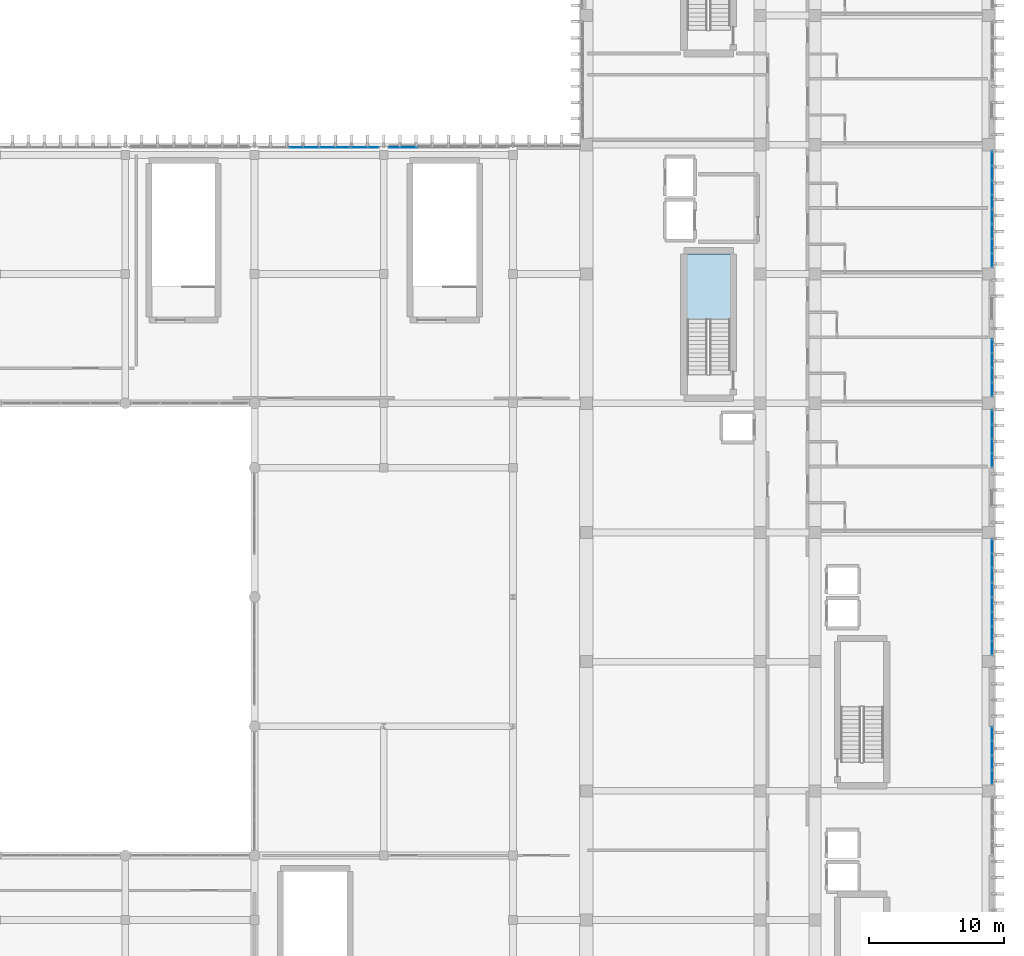
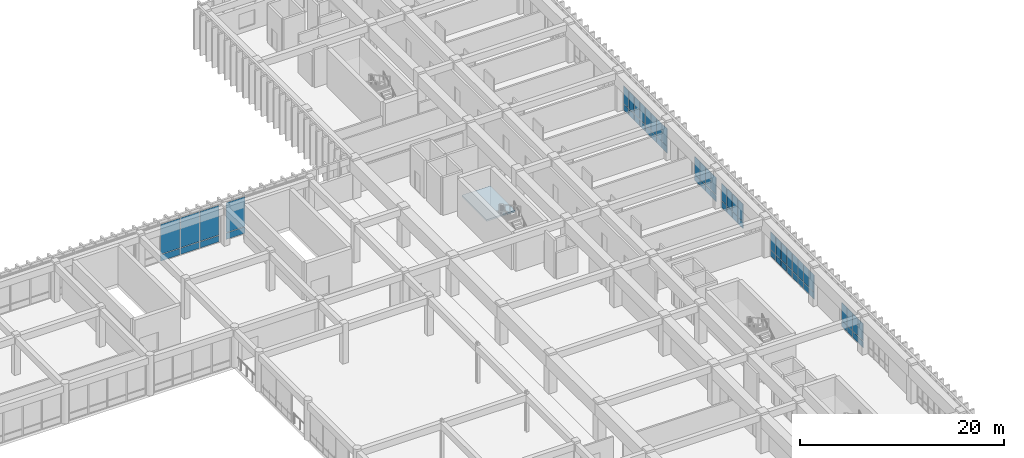
# One storey, part 69 of 101: 64 plates, 1 slab, 10 elements without a shape of their own.
"""IFC4 building model written with IfcOpenShell, lengths in metres."""

import ifcopenshell
import ifcopenshell.guid

model = None  # the IFC model being written
_history = None  # IfcOwnerHistory: only IFC2X3 demands one
_inside = {}  # id of a spatial element -> (the spatial element, [elements in it])
_under = {}  # id of a project, library or spatial element -> (it, [spatial elements below it])
_declared = {}  # id of a project -> (the project, [libraries it declares])
_typed = {}  # id of a type object -> (the type object, [elements of that type])
_made_of = {}  # id of a material, layer set ... -> (it, [elements and type objects made of it])


def new_model(schema):
    """Start an empty IFC model of exactly this schema.

    Asked for "IFC4X3", IfcOpenShell would pick the latest addendum, in which some entities
    have other attributes; the version numbers below select the first issue.
    IFC2X3 requires an IfcOwnerHistory on every rooted entity: one is made here for all.
    """
    global model, _history
    if schema == "IFC4X3":
        model = ifcopenshell.file(schema_version=(4, 3, 0, 0))
    else:
        model = ifcopenshell.file(schema=schema)
    _inside.clear()
    _under.clear()
    _declared.clear()
    _typed.clear()
    _made_of.clear()
    _history = None
    if model.schema == "IFC2X3":
        org = make("IfcOrganization", Name="unknown")
        user = make(
            "IfcPersonAndOrganization",
            ThePerson=make("IfcPerson", FamilyName="unknown"),
            TheOrganization=org,
        )
        app = make(
            "IfcApplication",
            ApplicationDeveloper=org,
            Version="unknown",
            ApplicationFullName="unknown",
            ApplicationIdentifier="unknown",
        )
        _history = make(
            "IfcOwnerHistory",
            OwningUser=user,
            OwningApplication=app,
            ChangeAction="ADDED",
            CreationDate=0,
        )
    return model


def make(cls, **values):
    """One entity of the class cls with the attributes given. An attribute that is None is left unset."""
    return model.create_entity(
        cls, **{name: value for name, value in values.items() if value is not None}
    )


def rooted(cls, **values):
    """An entity with a GlobalId (a new one), such as an element, a storey or a relation."""
    return make(cls, GlobalId=ifcopenshell.guid.new(), OwnerHistory=_history, **values)


def si_unit(unit_type, name, prefix=None):
    """IfcSIUnit, for example si_unit("LENGTHUNIT", "METRE", prefix="MILLI")."""
    return make("IfcSIUnit", UnitType=unit_type, Prefix=prefix, Name=name)


def assignment(units):
    """IfcUnitAssignment: the units of a project."""
    return None if units is None else make("IfcUnitAssignment", Units=units)


def point(xyz):
    """IfcCartesianPoint."""
    return None if xyz is None else make("IfcCartesianPoint", Coordinates=xyz)


def direction(xyz):
    """IfcDirection."""
    return None if xyz is None else make("IfcDirection", DirectionRatios=xyz)


def frame(location, z_axis=None, x_axis=None):
    """IfcAxis2Placement3D, a coordinate frame: its origin and axes. An axis left out is left unset."""
    return make(
        "IfcAxis2Placement3D",
        Location=point(location),
        Axis=direction(z_axis),
        RefDirection=direction(x_axis),
    )


def frame_2d(location, x_axis=None):
    """IfcAxis2Placement2D, a coordinate frame in the plane: its origin and x axis."""
    return make(
        "IfcAxis2Placement2D", Location=point(location), RefDirection=direction(x_axis)
    )


def origin():
    """The frame at (0, 0, 0) with its axes left unset."""
    return frame((0.0, 0.0, 0.0))


def origin_2d():
    """The frame at (0, 0) in the plane with its x axis left unset."""
    return frame_2d((0.0, 0.0))


def place(relative_to, where):
    """IfcLocalPlacement: puts the frame where relative to a parent placement (None: the world)."""
    return make(
        "IfcLocalPlacement", PlacementRelTo=relative_to, RelativePlacement=where
    )


def context(
    kind, dimensions, precision=None, world=None, true_north=None, identifier=None
):
    """IfcGeometricRepresentationContext, for example the 3D "Model" context."""
    return make(
        "IfcGeometricRepresentationContext",
        ContextIdentifier=identifier,
        ContextType=kind,
        CoordinateSpaceDimension=dimensions,
        Precision=precision,
        WorldCoordinateSystem=world,
        TrueNorth=true_north,
    )


def subcontext(parent, identifier, kind, view, scale=None):
    """IfcGeometricRepresentationSubContext, for example "Body" below "Model"."""
    return make(
        "IfcGeometricRepresentationSubContext",
        ContextIdentifier=identifier,
        ContextType=kind,
        ParentContext=parent,
        TargetScale=scale,
        TargetView=view,
    )


def project(units=None, contexts=None):
    """IfcProject with its units and contexts."""
    return rooted(
        "IfcProject",
        Name="project",
        RepresentationContexts=contexts,
        UnitsInContext=assignment(units),
    )


def spatial(cls, under=None, at=None, **own):
    """A site, building, storey or space (cls), placed at a placement, below another one or the project."""
    s = rooted(cls, ObjectPlacement=at, **own)
    if under is not None:
        _under.setdefault(under.id(), (under, []))[1].append(s)
    return s


def polyline(points):
    """IfcPolyline through the points."""
    return make("IfcPolyline", Points=[point(p) for p in points])


def profile(cls, at=None, kind="AREA", **sizes):
    """A parametric profile (cls). Its sizes go by their IFC names, for example OverallWidth=200.0."""
    return make(cls, ProfileType=kind, Position=at, **sizes)


def rectangle(**sizes):
    """IfcRectangleProfileDef."""
    return profile("IfcRectangleProfileDef", **sizes)


def outline(outer, holes=None, kind="AREA"):
    """IfcArbitraryClosedProfileDef: a profile drawn as a closed curve; with holes, ...WithVoids."""
    if holes is None:
        return make("IfcArbitraryClosedProfileDef", ProfileType=kind, OuterCurve=outer)
    return make(
        "IfcArbitraryProfileDefWithVoids",
        ProfileType=kind,
        OuterCurve=outer,
        InnerCurves=holes,
    )


def extrude(swept, where, along, depth):
    """IfcExtrudedAreaSolid: the profile swept, set in the frame where, extruded along a direction by depth."""
    return make(
        "IfcExtrudedAreaSolid",
        SweptArea=swept,
        Position=where,
        ExtrudedDirection=direction(along),
        Depth=depth,
    )


def shape(context_of_items, identifier, shape_type, items):
    """IfcShapeRepresentation: the items that make up one representation, for example the "Body"."""
    return make(
        "IfcShapeRepresentation",
        ContextOfItems=context_of_items,
        RepresentationIdentifier=identifier,
        RepresentationType=shape_type,
        Items=items,
    )


def material(Name=None, Category=None):
    """IfcMaterial."""
    return make("IfcMaterial", Name=Name, Category=Category)


def layer(
    of_material, thickness, ventilated=None, Name=None, Category=None, Priority=None
):
    """IfcMaterialLayer: one layer of a wall or slab, of a material (None: an air gap)."""
    return make(
        "IfcMaterialLayer",
        Material=of_material,
        LayerThickness=thickness,
        IsVentilated=ventilated,
        Name=Name,
        Category=Category,
        Priority=Priority,
    )


def layer_set(layers, Name=None):
    """IfcMaterialLayerSet."""
    return make("IfcMaterialLayerSet", MaterialLayers=layers, LayerSetName=Name)


def made_of(thing, what):
    """Note that an element or type object is made of a material, layer set ...; save() writes the relation."""
    if what is not None:
        _made_of.setdefault(what.id(), (what, []))[1].append(thing)
    return thing


def type_object(cls, material=None, **own):
    """A type object (cls), such as IfcWallType, which elements share."""
    return made_of(rooted(cls, **own), material)


def element(
    cls,
    number,
    at=None,
    inside=None,
    cuts=None,
    type_object=None,
    material=None,
    context=None,
    identifier="Body",
    shape_type=None,
    held_by="IfcProductDefinitionShape",
    body=None,
    shapes=None,
    **own,
):
    """One element of the class cls, such as IfcWall. Its Tag is "e" and its number.

    at: its placement. inside: the storey or other place that contains it. cuts: it is an
    opening in that element (IfcRelVoidsElement). A single representation is given by context,
    identifier, shape_type and body (its items); several are given by shapes. held_by: the class
    of the entity that holds the representations. save() writes the other relations.
    """
    e = rooted(cls, Tag="e%d" % number, ObjectPlacement=at, **own)
    if body is not None:
        shapes = [shape(context, identifier, shape_type, body)]
    if shapes is not None:
        e.Representation = make(held_by, Representations=shapes)
    if inside is not None:
        _inside.setdefault(inside.id(), (inside, []))[1].append(e)
    if cuts is not None:
        rooted(
            "IfcRelVoidsElement", RelatingBuildingElement=cuts, RelatedOpeningElement=e
        )
    if type_object is not None:
        _typed.setdefault(type_object.id(), (type_object, []))[1].append(e)
    return made_of(e, material)


def aggregate(whole, parts):
    """IfcRelAggregates: a whole, such as a stair, and the parts it consists of."""
    return rooted("IfcRelAggregates", RelatingObject=whole, RelatedObjects=parts)


def save(model, path):
    """Write the relations noted so far, then the file.

    IfcRelAggregates (storeys below a building ...), IfcRelContainedInSpatialStructure (elements
    in a storey), IfcRelDefinesByType, IfcRelAssociatesMaterial and IfcRelDeclares: one each for
    every whole, place, type object, material and project.
    """
    for whole, parts in _under.values():
        aggregate(whole, parts)
    for where, things in _inside.values():
        rooted(
            "IfcRelContainedInSpatialStructure",
            RelatedElements=things,
            RelatingStructure=where,
        )
    for kind, things in _typed.values():
        rooted("IfcRelDefinesByType", RelatedObjects=things, RelatingType=kind)
    for what, things in _made_of.values():
        rooted("IfcRelAssociatesMaterial", RelatedObjects=things, RelatingMaterial=what)
    for by, libraries in _declared.values():
        rooted("IfcRelDeclares", RelatingContext=by, RelatedDefinitions=libraries)
    model.write(path)


model = new_model("IFC4")

# Units and contexts
model_context = context("Model", 3, precision=1e-05, world=origin(), true_north=direction((0.0, 1.0)))
body_context = subcontext(model_context, "Body", "Model", "MODEL_VIEW")
ifc_project = project(units=[si_unit("LENGTHUNIT", "METRE"), si_unit("AREAUNIT", "SQUARE_METRE"), si_unit("VOLUMEUNIT", "CUBIC_METRE"), si_unit("PLANEANGLEUNIT", "RADIAN"), si_unit("MASSUNIT", "GRAM", prefix="KILO")], contexts=[model_context])

# Site, building, storey
site_placement = place(None, origin())
site = spatial("IfcSite", under=ifc_project, at=site_placement, CompositionType="ELEMENT")
building_placement = place(site_placement, origin())
building = spatial("IfcBuilding", under=site, at=building_placement, Name="Nakhvara Creek Congress Hotel", CompositionType="ELEMENT")
storey_placement = place(building_placement, frame((0.0, 0.0, 16.199951171875)))
storey = spatial("IfcBuildingStorey", under=building, at=storey_placement, Name="L03", CompositionType="ELEMENT", Elevation=16.199951171875)

# Curtain wall, plates
ifc_material_1 = material(Name="Bronze-anodised aluminium AW-6063-T6 and double-silver low-E glass", Category="aluminium")
ifc_layer_1 = layer(ifc_material_1, 0.199951171875)
ifc_layer_set_1 = layer_set([ifc_layer_1], Name="Bronze-anodised aluminium AW-6063-T6 and double-silver low-E glass")
curtain_wall_type_1 = type_object("IfcCurtainWallType", Name="CW-HTL-UNIT", PredefinedType="USERDEFINED", material=ifc_layer_set_1)
curtain_wall_1_placement = place(storey_placement, origin())
curtain_wall_1 = element("IfcCurtainWall", 1, at=curtain_wall_1_placement, inside=storey, type_object=curtain_wall_type_1, Name="Curtain Wall CW157", ObjectType="UNITISED", PredefinedType="USERDEFINED")
ifc_material_2 = material(Name="Double-silver solar-control low-E insulated glass", Category="glass")
plate_type_1 = type_object("IfcPlateType", Name="PNL-GLZ-120X250", PredefinedType="CURTAIN_PANEL", material=ifc_material_2)
plate_1_placement = place(storey_placement, frame((179.60009765625, 52.241943359375, 0.065185546875), z_axis=(0.0, 0.0, 1.0), x_axis=(0.0, -1.0, 0.0)))
plate_1 = element("IfcPlate", 2, at=plate_1_placement, type_object=plate_type_1, Name="CW157 panel 1.1", PredefinedType="CURTAIN_PANEL", context=body_context, shape_type="SweptSolid", body=[
    extrude(rectangle(XDim=0.986328125, YDim=0.028076171875, at=origin_2d()), origin(), (0.0, 0.0, 1.0), 0.75244140625),
])
plate_2_placement = place(storey_placement, frame((179.60009765625, 52.241943359375, 0.882568359375), z_axis=(0.0, 0.0, 1.0), x_axis=(0.0, -1.0, 0.0)))
plate_2 = element("IfcPlate", 3, at=plate_2_placement, type_object=plate_type_1, Name="CW157 panel 1.2", PredefinedType="CURTAIN_PANEL", context=body_context, shape_type="SweptSolid", body=[
    extrude(rectangle(XDim=0.986328125, YDim=0.028076171875, at=origin_2d()), origin(), (0.0, 0.0, 1.0), 2.08447265625),
])
plate_3_placement = place(storey_placement, frame((179.60009765625, 51.17431640625, 0.065185546875), z_axis=(0.0, 0.0, 1.0), x_axis=(0.0, -1.0, 0.0)))
plate_3 = element("IfcPlate", 4, at=plate_3_placement, type_object=plate_type_1, Name="CW157 panel 2.1", PredefinedType="CURTAIN_PANEL", context=body_context, shape_type="SweptSolid", body=[
    extrude(rectangle(XDim=1.018798828125, YDim=0.028076171875, at=origin_2d()), origin(), (0.0, 0.0, 1.0), 0.75244140625),
])
plate_4_placement = place(storey_placement, frame((179.60009765625, 51.17431640625, 0.882568359375), z_axis=(0.0, 0.0, 1.0), x_axis=(0.0, -1.0, 0.0)))
plate_4 = element("IfcPlate", 5, at=plate_4_placement, type_object=plate_type_1, Name="CW157 panel 2.2", PredefinedType="CURTAIN_PANEL", context=body_context, shape_type="SweptSolid", body=[
    extrude(rectangle(XDim=1.018798828125, YDim=0.028076171875, at=origin_2d()), origin(), (0.0, 0.0, 1.0), 2.08447265625),
])
plate_5_placement = place(storey_placement, frame((179.60009765625, 50.090576171875, 0.065185546875), z_axis=(0.0, 0.0, 1.0), x_axis=(0.0, -1.0, 0.0)))
plate_5 = element("IfcPlate", 6, at=plate_5_placement, type_object=plate_type_1, Name="CW157 panel 3.1", PredefinedType="CURTAIN_PANEL", context=body_context, shape_type="SweptSolid", body=[
    extrude(rectangle(XDim=1.018798828125, YDim=0.028076171875, at=origin_2d()), origin(), (0.0, 0.0, 1.0), 0.75244140625),
])
plate_6_placement = place(storey_placement, frame((179.60009765625, 50.090576171875, 0.882568359375), z_axis=(0.0, 0.0, 1.0), x_axis=(0.0, -1.0, 0.0)))
plate_6 = element("IfcPlate", 7, at=plate_6_placement, type_object=plate_type_1, Name="CW157 panel 3.2", PredefinedType="CURTAIN_PANEL", context=body_context, shape_type="SweptSolid", body=[
    extrude(rectangle(XDim=1.018798828125, YDim=0.028076171875, at=origin_2d()), origin(), (0.0, 0.0, 1.0), 2.08447265625),
])
plate_7_placement = place(storey_placement, frame((179.60009765625, 49.023193359375, 0.065185546875), z_axis=(0.0, 0.0, 1.0), x_axis=(0.0, -1.0, 0.0)))
plate_7 = element("IfcPlate", 8, at=plate_7_placement, type_object=plate_type_1, Name="CW157 panel 4.1", PredefinedType="CURTAIN_PANEL", context=body_context, shape_type="SweptSolid", body=[
    extrude(rectangle(XDim=0.986328125, YDim=0.028076171875, at=origin_2d()), origin(), (0.0, 0.0, 1.0), 0.75244140625),
])
plate_8_placement = place(storey_placement, frame((179.60009765625, 49.023193359375, 0.882568359375), z_axis=(0.0, 0.0, 1.0), x_axis=(0.0, -1.0, 0.0)))
plate_8 = element("IfcPlate", 9, at=plate_8_placement, type_object=plate_type_1, Name="CW157 panel 4.2", PredefinedType="CURTAIN_PANEL", context=body_context, shape_type="SweptSolid", body=[
    extrude(rectangle(XDim=0.986328125, YDim=0.028076171875, at=origin_2d()), origin(), (0.0, 0.0, 1.0), 2.08447265625),
])
aggregate(curtain_wall_1, [plate_1, plate_2, plate_3, plate_4, plate_5, plate_6, plate_7, plate_8])

curtain_wall_2_placement = place(storey_placement, origin())
curtain_wall_2 = element("IfcCurtainWall", 10, at=curtain_wall_2_placement, inside=storey, type_object=curtain_wall_type_1, Name="Curtain Wall CW158", ObjectType="UNITISED", PredefinedType="USERDEFINED")
plate_9_placement = place(storey_placement, frame((179.60009765625, 61.841796875, 0.065185546875), z_axis=(0.0, 0.0, 1.0), x_axis=(0.0, -1.0, 0.0)))
plate_9 = element("IfcPlate", 11, at=plate_9_placement, type_object=plate_type_1, Name="CW158 panel 1.1", PredefinedType="CURTAIN_PANEL", context=body_context, shape_type="SweptSolid", body=[
    extrude(rectangle(XDim=0.986328125, YDim=0.028076171875, at=origin_2d()), origin(), (0.0, 0.0, 1.0), 0.75244140625),
])
plate_10_placement = place(storey_placement, frame((179.60009765625, 61.841796875, 0.882568359375), z_axis=(0.0, 0.0, 1.0), x_axis=(0.0, -1.0, 0.0)))
plate_10 = element("IfcPlate", 12, at=plate_10_placement, type_object=plate_type_1, Name="CW158 panel 1.2", PredefinedType="CURTAIN_PANEL", context=body_context, shape_type="SweptSolid", body=[
    extrude(rectangle(XDim=0.986328125, YDim=0.028076171875, at=origin_2d()), origin(), (0.0, 0.0, 1.0), 2.08447265625),
])
plate_11_placement = place(storey_placement, frame((179.60009765625, 60.7744140625, 0.065185546875), z_axis=(0.0, 0.0, 1.0), x_axis=(0.0, -1.0, 0.0)))
plate_11 = element("IfcPlate", 13, at=plate_11_placement, type_object=plate_type_1, Name="CW158 panel 2.1", PredefinedType="CURTAIN_PANEL", context=body_context, shape_type="SweptSolid", body=[
    extrude(rectangle(XDim=1.018798828125, YDim=0.028076171875, at=origin_2d()), origin(), (0.0, 0.0, 1.0), 0.75244140625),
])
plate_12_placement = place(storey_placement, frame((179.60009765625, 60.7744140625, 0.882568359375), z_axis=(0.0, 0.0, 1.0), x_axis=(0.0, -1.0, 0.0)))
plate_12 = element("IfcPlate", 14, at=plate_12_placement, type_object=plate_type_1, Name="CW158 panel 2.2", PredefinedType="CURTAIN_PANEL", context=body_context, shape_type="SweptSolid", body=[
    extrude(rectangle(XDim=1.018798828125, YDim=0.028076171875, at=origin_2d()), origin(), (0.0, 0.0, 1.0), 2.08447265625),
])
plate_13_placement = place(storey_placement, frame((179.60009765625, 59.690673828125, 0.065185546875), z_axis=(0.0, 0.0, 1.0), x_axis=(0.0, -1.0, 0.0)))
plate_13 = element("IfcPlate", 15, at=plate_13_placement, type_object=plate_type_1, Name="CW158 panel 3.1", PredefinedType="CURTAIN_PANEL", context=body_context, shape_type="SweptSolid", body=[
    extrude(rectangle(XDim=1.018798828125, YDim=0.028076171875, at=origin_2d()), origin(), (0.0, 0.0, 1.0), 0.75244140625),
])
plate_14_placement = place(storey_placement, frame((179.60009765625, 59.690673828125, 0.882568359375), z_axis=(0.0, 0.0, 1.0), x_axis=(0.0, -1.0, 0.0)))
plate_14 = element("IfcPlate", 16, at=plate_14_placement, type_object=plate_type_1, Name="CW158 panel 3.2", PredefinedType="CURTAIN_PANEL", context=body_context, shape_type="SweptSolid", body=[
    extrude(rectangle(XDim=1.018798828125, YDim=0.028076171875, at=origin_2d()), origin(), (0.0, 0.0, 1.0), 2.08447265625),
])
plate_15_placement = place(storey_placement, frame((179.60009765625, 58.623046875, 0.065185546875), z_axis=(0.0, 0.0, 1.0), x_axis=(0.0, -1.0, 0.0)))
plate_15 = element("IfcPlate", 17, at=plate_15_placement, type_object=plate_type_1, Name="CW158 panel 4.1", PredefinedType="CURTAIN_PANEL", context=body_context, shape_type="SweptSolid", body=[
    extrude(rectangle(XDim=0.986328125, YDim=0.028076171875, at=origin_2d()), origin(), (0.0, 0.0, 1.0), 0.75244140625),
])
plate_16_placement = place(storey_placement, frame((179.60009765625, 58.623046875, 0.882568359375), z_axis=(0.0, 0.0, 1.0), x_axis=(0.0, -1.0, 0.0)))
plate_16 = element("IfcPlate", 18, at=plate_16_placement, type_object=plate_type_1, Name="CW158 panel 4.2", PredefinedType="CURTAIN_PANEL", context=body_context, shape_type="SweptSolid", body=[
    extrude(rectangle(XDim=0.986328125, YDim=0.028076171875, at=origin_2d()), origin(), (0.0, 0.0, 1.0), 2.08447265625),
])
aggregate(curtain_wall_2, [plate_9, plate_10, plate_11, plate_12, plate_13, plate_14, plate_15, plate_16])

curtain_wall_3_placement = place(storey_placement, origin())
curtain_wall_3 = element("IfcCurtainWall", 19, at=curtain_wall_3_placement, inside=storey, type_object=curtain_wall_type_1, Name="Curtain Wall CW159", ObjectType="UNITISED", PredefinedType="USERDEFINED")
plate_17_placement = place(storey_placement, frame((179.60009765625, 66.1767578125, 0.065185546875), z_axis=(0.0, 0.0, 1.0), x_axis=(0.0, -1.0, 0.0)))
plate_17 = element("IfcPlate", 20, at=plate_17_placement, type_object=plate_type_1, Name="CW159 panel 1.1", PredefinedType="CURTAIN_PANEL", context=body_context, shape_type="SweptSolid", body=[
    extrude(rectangle(XDim=0.986328125, YDim=0.028076171875, at=origin_2d()), origin(), (0.0, 0.0, 1.0), 0.75244140625),
])
plate_18_placement = place(storey_placement, frame((179.60009765625, 66.1767578125, 0.882568359375), z_axis=(0.0, 0.0, 1.0), x_axis=(0.0, -1.0, 0.0)))
plate_18 = element("IfcPlate", 21, at=plate_18_placement, type_object=plate_type_1, Name="CW159 panel 1.2", PredefinedType="CURTAIN_PANEL", context=body_context, shape_type="SweptSolid", body=[
    extrude(rectangle(XDim=0.986328125, YDim=0.028076171875, at=origin_2d()), origin(), (0.0, 0.0, 1.0), 2.08447265625),
])
plate_19_placement = place(storey_placement, frame((179.60009765625, 65.109375, 0.065185546875), z_axis=(0.0, 0.0, 1.0), x_axis=(0.0, -1.0, 0.0)))
plate_19 = element("IfcPlate", 22, at=plate_19_placement, type_object=plate_type_1, Name="CW159 panel 2.1", PredefinedType="CURTAIN_PANEL", context=body_context, shape_type="SweptSolid", body=[
    extrude(rectangle(XDim=1.018798828125, YDim=0.028076171875, at=origin_2d()), origin(), (0.0, 0.0, 1.0), 0.75244140625),
])
plate_20_placement = place(storey_placement, frame((179.60009765625, 65.109375, 0.882568359375), z_axis=(0.0, 0.0, 1.0), x_axis=(0.0, -1.0, 0.0)))
plate_20 = element("IfcPlate", 23, at=plate_20_placement, type_object=plate_type_1, Name="CW159 panel 2.2", PredefinedType="CURTAIN_PANEL", context=body_context, shape_type="SweptSolid", body=[
    extrude(rectangle(XDim=1.018798828125, YDim=0.028076171875, at=origin_2d()), origin(), (0.0, 0.0, 1.0), 2.08447265625),
])
plate_21_placement = place(storey_placement, frame((179.60009765625, 64.025634765625, 0.065185546875), z_axis=(0.0, 0.0, 1.0), x_axis=(0.0, -1.0, 0.0)))
plate_21 = element("IfcPlate", 24, at=plate_21_placement, type_object=plate_type_1, Name="CW159 panel 3.1", PredefinedType="CURTAIN_PANEL", context=body_context, shape_type="SweptSolid", body=[
    extrude(rectangle(XDim=1.018798828125, YDim=0.028076171875, at=origin_2d()), origin(), (0.0, 0.0, 1.0), 0.75244140625),
])
plate_22_placement = place(storey_placement, frame((179.60009765625, 64.025634765625, 0.882568359375), z_axis=(0.0, 0.0, 1.0), x_axis=(0.0, -1.0, 0.0)))
plate_22 = element("IfcPlate", 25, at=plate_22_placement, type_object=plate_type_1, Name="CW159 panel 3.2", PredefinedType="CURTAIN_PANEL", context=body_context, shape_type="SweptSolid", body=[
    extrude(rectangle(XDim=1.018798828125, YDim=0.028076171875, at=origin_2d()), origin(), (0.0, 0.0, 1.0), 2.08447265625),
])
plate_23_placement = place(storey_placement, frame((179.60009765625, 62.9580078125, 0.065185546875), z_axis=(0.0, 0.0, 1.0), x_axis=(0.0, -1.0, 0.0)))
plate_23 = element("IfcPlate", 26, at=plate_23_placement, type_object=plate_type_1, Name="CW159 panel 4.1", PredefinedType="CURTAIN_PANEL", context=body_context, shape_type="SweptSolid", body=[
    extrude(rectangle(XDim=0.986328125, YDim=0.028076171875, at=origin_2d()), origin(), (0.0, 0.0, 1.0), 0.75244140625),
])
plate_24_placement = place(storey_placement, frame((179.60009765625, 62.9580078125, 0.882568359375), z_axis=(0.0, 0.0, 1.0), x_axis=(0.0, -1.0, 0.0)))
plate_24 = element("IfcPlate", 27, at=plate_24_placement, type_object=plate_type_1, Name="CW159 panel 4.2", PredefinedType="CURTAIN_PANEL", context=body_context, shape_type="SweptSolid", body=[
    extrude(rectangle(XDim=0.986328125, YDim=0.028076171875, at=origin_2d()), origin(), (0.0, 0.0, 1.0), 2.08447265625),
])
aggregate(curtain_wall_3, [plate_17, plate_18, plate_19, plate_20, plate_21, plate_22, plate_23, plate_24])

curtain_wall_4_placement = place(storey_placement, origin())
curtain_wall_4 = element("IfcCurtainWall", 28, at=curtain_wall_4_placement, inside=storey, type_object=curtain_wall_type_1, Name="Curtain Wall CW161", ObjectType="UNITISED", PredefinedType="USERDEFINED")
plate_25_placement = place(storey_placement, frame((179.60009765625, 81.0419921875, 0.065185546875), z_axis=(0.0, 0.0, 1.0), x_axis=(0.0, -1.0, 0.0)))
plate_25 = element("IfcPlate", 29, at=plate_25_placement, type_object=plate_type_1, Name="CW161 panel 1.1", PredefinedType="CURTAIN_PANEL", context=body_context, shape_type="SweptSolid", body=[
    extrude(rectangle(XDim=0.986328125, YDim=0.028076171875, at=origin_2d()), origin(), (0.0, 0.0, 1.0), 0.75244140625),
])
plate_26_placement = place(storey_placement, frame((179.60009765625, 81.0419921875, 0.882568359375), z_axis=(0.0, 0.0, 1.0), x_axis=(0.0, -1.0, 0.0)))
plate_26 = element("IfcPlate", 30, at=plate_26_placement, type_object=plate_type_1, Name="CW161 panel 1.2", PredefinedType="CURTAIN_PANEL", context=body_context, shape_type="SweptSolid", body=[
    extrude(rectangle(XDim=0.986328125, YDim=0.028076171875, at=origin_2d()), origin(), (0.0, 0.0, 1.0), 2.08447265625),
])
plate_27_placement = place(storey_placement, frame((179.60009765625, 79.974365234375, 0.065185546875), z_axis=(0.0, 0.0, 1.0), x_axis=(0.0, -1.0, 0.0)))
plate_27 = element("IfcPlate", 31, at=plate_27_placement, type_object=plate_type_1, Name="CW161 panel 2.1", PredefinedType="CURTAIN_PANEL", context=body_context, shape_type="SweptSolid", body=[
    extrude(rectangle(XDim=1.018798828125, YDim=0.028076171875, at=origin_2d()), origin(), (0.0, 0.0, 1.0), 0.75244140625),
])
plate_28_placement = place(storey_placement, frame((179.60009765625, 79.974365234375, 0.882568359375), z_axis=(0.0, 0.0, 1.0), x_axis=(0.0, -1.0, 0.0)))
plate_28 = element("IfcPlate", 32, at=plate_28_placement, type_object=plate_type_1, Name="CW161 panel 2.2", PredefinedType="CURTAIN_PANEL", context=body_context, shape_type="SweptSolid", body=[
    extrude(rectangle(XDim=1.018798828125, YDim=0.028076171875, at=origin_2d()), origin(), (0.0, 0.0, 1.0), 2.08447265625),
])
plate_29_placement = place(storey_placement, frame((179.60009765625, 78.890625, 0.065185546875), z_axis=(0.0, 0.0, 1.0), x_axis=(0.0, -1.0, 0.0)))
plate_29 = element("IfcPlate", 33, at=plate_29_placement, type_object=plate_type_1, Name="CW161 panel 3.1", PredefinedType="CURTAIN_PANEL", context=body_context, shape_type="SweptSolid", body=[
    extrude(rectangle(XDim=1.018798828125, YDim=0.028076171875, at=origin_2d()), origin(), (0.0, 0.0, 1.0), 0.75244140625),
])
plate_30_placement = place(storey_placement, frame((179.60009765625, 78.890625, 0.882568359375), z_axis=(0.0, 0.0, 1.0), x_axis=(0.0, -1.0, 0.0)))
plate_30 = element("IfcPlate", 34, at=plate_30_placement, type_object=plate_type_1, Name="CW161 panel 3.2", PredefinedType="CURTAIN_PANEL", context=body_context, shape_type="SweptSolid", body=[
    extrude(rectangle(XDim=1.018798828125, YDim=0.028076171875, at=origin_2d()), origin(), (0.0, 0.0, 1.0), 2.08447265625),
])
plate_31_placement = place(storey_placement, frame((179.60009765625, 77.8232421875, 0.065185546875), z_axis=(0.0, 0.0, 1.0), x_axis=(0.0, -1.0, 0.0)))
plate_31 = element("IfcPlate", 35, at=plate_31_placement, type_object=plate_type_1, Name="CW161 panel 4.1", PredefinedType="CURTAIN_PANEL", context=body_context, shape_type="SweptSolid", body=[
    extrude(rectangle(XDim=0.986328125, YDim=0.028076171875, at=origin_2d()), origin(), (0.0, 0.0, 1.0), 0.75244140625),
])
plate_32_placement = place(storey_placement, frame((179.60009765625, 77.8232421875, 0.882568359375), z_axis=(0.0, 0.0, 1.0), x_axis=(0.0, -1.0, 0.0)))
plate_32 = element("IfcPlate", 36, at=plate_32_placement, type_object=plate_type_1, Name="CW161 panel 4.2", PredefinedType="CURTAIN_PANEL", context=body_context, shape_type="SweptSolid", body=[
    extrude(rectangle(XDim=0.986328125, YDim=0.028076171875, at=origin_2d()), origin(), (0.0, 0.0, 1.0), 2.08447265625),
])
aggregate(curtain_wall_4, [plate_25, plate_26, plate_27, plate_28, plate_29, plate_30, plate_31, plate_32])

curtain_wall_5_placement = place(storey_placement, origin())
curtain_wall_5 = element("IfcCurtainWall", 37, at=curtain_wall_5_placement, inside=storey, type_object=curtain_wall_type_1, Name="Curtain Wall CW162", ObjectType="UNITISED", PredefinedType="USERDEFINED")
plate_33_placement = place(storey_placement, frame((179.60009765625, 90.641845703125, 0.065185546875), z_axis=(0.0, 0.0, 1.0), x_axis=(0.0, -1.0, 0.0)))
plate_33 = element("IfcPlate", 38, at=plate_33_placement, type_object=plate_type_1, Name="CW162 panel 1.1", PredefinedType="CURTAIN_PANEL", context=body_context, shape_type="SweptSolid", body=[
    extrude(rectangle(XDim=0.986328125, YDim=0.028076171875, at=origin_2d()), origin(), (0.0, 0.0, 1.0), 0.75244140625),
])
plate_34_placement = place(storey_placement, frame((179.60009765625, 90.641845703125, 0.882568359375), z_axis=(0.0, 0.0, 1.0), x_axis=(0.0, -1.0, 0.0)))
plate_34 = element("IfcPlate", 39, at=plate_34_placement, type_object=plate_type_1, Name="CW162 panel 1.2", PredefinedType="CURTAIN_PANEL", context=body_context, shape_type="SweptSolid", body=[
    extrude(rectangle(XDim=0.986328125, YDim=0.028076171875, at=origin_2d()), origin(), (0.0, 0.0, 1.0), 2.08447265625),
])
plate_35_placement = place(storey_placement, frame((179.60009765625, 89.574462890625, 0.065185546875), z_axis=(0.0, 0.0, 1.0), x_axis=(0.0, -1.0, 0.0)))
plate_35 = element("IfcPlate", 40, at=plate_35_placement, type_object=plate_type_1, Name="CW162 panel 2.1", PredefinedType="CURTAIN_PANEL", context=body_context, shape_type="SweptSolid", body=[
    extrude(rectangle(XDim=1.018798828125, YDim=0.028076171875, at=origin_2d()), origin(), (0.0, 0.0, 1.0), 0.75244140625),
])
plate_36_placement = place(storey_placement, frame((179.60009765625, 89.574462890625, 0.882568359375), z_axis=(0.0, 0.0, 1.0), x_axis=(0.0, -1.0, 0.0)))
plate_36 = element("IfcPlate", 41, at=plate_36_placement, type_object=plate_type_1, Name="CW162 panel 2.2", PredefinedType="CURTAIN_PANEL", context=body_context, shape_type="SweptSolid", body=[
    extrude(rectangle(XDim=1.018798828125, YDim=0.028076171875, at=origin_2d()), origin(), (0.0, 0.0, 1.0), 2.08447265625),
])
plate_37_placement = place(storey_placement, frame((179.60009765625, 88.49072265625, 0.065185546875), z_axis=(0.0, 0.0, 1.0), x_axis=(0.0, -1.0, 0.0)))
plate_37 = element("IfcPlate", 42, at=plate_37_placement, type_object=plate_type_1, Name="CW162 panel 3.1", PredefinedType="CURTAIN_PANEL", context=body_context, shape_type="SweptSolid", body=[
    extrude(rectangle(XDim=1.018798828125, YDim=0.028076171875, at=origin_2d()), origin(), (0.0, 0.0, 1.0), 0.75244140625),
])
plate_38_placement = place(storey_placement, frame((179.60009765625, 88.49072265625, 0.882568359375), z_axis=(0.0, 0.0, 1.0), x_axis=(0.0, -1.0, 0.0)))
plate_38 = element("IfcPlate", 43, at=plate_38_placement, type_object=plate_type_1, Name="CW162 panel 3.2", PredefinedType="CURTAIN_PANEL", context=body_context, shape_type="SweptSolid", body=[
    extrude(rectangle(XDim=1.018798828125, YDim=0.028076171875, at=origin_2d()), origin(), (0.0, 0.0, 1.0), 2.08447265625),
])
plate_39_placement = place(storey_placement, frame((179.60009765625, 87.423095703125, 0.065185546875), z_axis=(0.0, 0.0, 1.0), x_axis=(0.0, -1.0, 0.0)))
plate_39 = element("IfcPlate", 44, at=plate_39_placement, type_object=plate_type_1, Name="CW162 panel 4.1", PredefinedType="CURTAIN_PANEL", context=body_context, shape_type="SweptSolid", body=[
    extrude(rectangle(XDim=0.986328125, YDim=0.028076171875, at=origin_2d()), origin(), (0.0, 0.0, 1.0), 0.75244140625),
])
plate_40_placement = place(storey_placement, frame((179.60009765625, 87.423095703125, 0.882568359375), z_axis=(0.0, 0.0, 1.0), x_axis=(0.0, -1.0, 0.0)))
plate_40 = element("IfcPlate", 45, at=plate_40_placement, type_object=plate_type_1, Name="CW162 panel 4.2", PredefinedType="CURTAIN_PANEL", context=body_context, shape_type="SweptSolid", body=[
    extrude(rectangle(XDim=0.986328125, YDim=0.028076171875, at=origin_2d()), origin(), (0.0, 0.0, 1.0), 2.08447265625),
])
aggregate(curtain_wall_5, [plate_33, plate_34, plate_35, plate_36, plate_37, plate_38, plate_39, plate_40])

curtain_wall_6_placement = place(storey_placement, origin())
curtain_wall_6 = element("IfcCurtainWall", 46, at=curtain_wall_6_placement, inside=storey, type_object=curtain_wall_type_1, Name="Curtain Wall CW163", ObjectType="UNITISED", PredefinedType="USERDEFINED")
plate_41_placement = place(storey_placement, frame((179.60009765625, 94.976806640625, 0.065185546875), z_axis=(0.0, 0.0, 1.0), x_axis=(0.0, -1.0, 0.0)))
plate_41 = element("IfcPlate", 47, at=plate_41_placement, type_object=plate_type_1, Name="CW163 panel 1.1", PredefinedType="CURTAIN_PANEL", context=body_context, shape_type="SweptSolid", body=[
    extrude(rectangle(XDim=0.986328125, YDim=0.028076171875, at=origin_2d()), origin(), (0.0, 0.0, 1.0), 0.75244140625),
])
plate_42_placement = place(storey_placement, frame((179.60009765625, 94.976806640625, 0.882568359375), z_axis=(0.0, 0.0, 1.0), x_axis=(0.0, -1.0, 0.0)))
plate_42 = element("IfcPlate", 48, at=plate_42_placement, type_object=plate_type_1, Name="CW163 panel 1.2", PredefinedType="CURTAIN_PANEL", context=body_context, shape_type="SweptSolid", body=[
    extrude(rectangle(XDim=0.986328125, YDim=0.028076171875, at=origin_2d()), origin(), (0.0, 0.0, 1.0), 2.08447265625),
])
plate_43_placement = place(storey_placement, frame((179.60009765625, 93.909423828125, 0.065185546875), z_axis=(0.0, 0.0, 1.0), x_axis=(0.0, -1.0, 0.0)))
plate_43 = element("IfcPlate", 49, at=plate_43_placement, type_object=plate_type_1, Name="CW163 panel 2.1", PredefinedType="CURTAIN_PANEL", context=body_context, shape_type="SweptSolid", body=[
    extrude(rectangle(XDim=1.018798828125, YDim=0.028076171875, at=origin_2d()), origin(), (0.0, 0.0, 1.0), 0.75244140625),
])
plate_44_placement = place(storey_placement, frame((179.60009765625, 93.909423828125, 0.882568359375), z_axis=(0.0, 0.0, 1.0), x_axis=(0.0, -1.0, 0.0)))
plate_44 = element("IfcPlate", 50, at=plate_44_placement, type_object=plate_type_1, Name="CW163 panel 2.2", PredefinedType="CURTAIN_PANEL", context=body_context, shape_type="SweptSolid", body=[
    extrude(rectangle(XDim=1.018798828125, YDim=0.028076171875, at=origin_2d()), origin(), (0.0, 0.0, 1.0), 2.08447265625),
])
plate_45_placement = place(storey_placement, frame((179.60009765625, 92.82568359375, 0.065185546875), z_axis=(0.0, 0.0, 1.0), x_axis=(0.0, -1.0, 0.0)))
plate_45 = element("IfcPlate", 51, at=plate_45_placement, type_object=plate_type_1, Name="CW163 panel 3.1", PredefinedType="CURTAIN_PANEL", context=body_context, shape_type="SweptSolid", body=[
    extrude(rectangle(XDim=1.018798828125, YDim=0.028076171875, at=origin_2d()), origin(), (0.0, 0.0, 1.0), 0.75244140625),
])
plate_46_placement = place(storey_placement, frame((179.60009765625, 92.82568359375, 0.882568359375), z_axis=(0.0, 0.0, 1.0), x_axis=(0.0, -1.0, 0.0)))
plate_46 = element("IfcPlate", 52, at=plate_46_placement, type_object=plate_type_1, Name="CW163 panel 3.2", PredefinedType="CURTAIN_PANEL", context=body_context, shape_type="SweptSolid", body=[
    extrude(rectangle(XDim=1.018798828125, YDim=0.028076171875, at=origin_2d()), origin(), (0.0, 0.0, 1.0), 2.08447265625),
])
plate_47_placement = place(storey_placement, frame((179.60009765625, 91.758056640625, 0.065185546875), z_axis=(0.0, 0.0, 1.0), x_axis=(0.0, -1.0, 0.0)))
plate_47 = element("IfcPlate", 53, at=plate_47_placement, type_object=plate_type_1, Name="CW163 panel 4.1", PredefinedType="CURTAIN_PANEL", context=body_context, shape_type="SweptSolid", body=[
    extrude(rectangle(XDim=0.986328125, YDim=0.028076171875, at=origin_2d()), origin(), (0.0, 0.0, 1.0), 0.75244140625),
])
plate_48_placement = place(storey_placement, frame((179.60009765625, 91.758056640625, 0.882568359375), z_axis=(0.0, 0.0, 1.0), x_axis=(0.0, -1.0, 0.0)))
plate_48 = element("IfcPlate", 54, at=plate_48_placement, type_object=plate_type_1, Name="CW163 panel 4.2", PredefinedType="CURTAIN_PANEL", context=body_context, shape_type="SweptSolid", body=[
    extrude(rectangle(XDim=0.986328125, YDim=0.028076171875, at=origin_2d()), origin(), (0.0, 0.0, 1.0), 2.08447265625),
])
aggregate(curtain_wall_6, [plate_41, plate_42, plate_43, plate_44, plate_45, plate_46, plate_47, plate_48])

ifc_layer_2 = layer(ifc_material_1, 0.199951171875)
ifc_layer_set_2 = layer_set([ifc_layer_2], Name="Bronze-anodised aluminium AW-6063-T6 and double-silver low-E glass")
curtain_wall_type_2 = type_object("IfcCurtainWallType", Name="CW-POD-STICK", PredefinedType="NOTDEFINED", material=ifc_layer_set_2)
curtain_wall_7_placement = place(storey_placement, origin())
curtain_wall_7 = element("IfcCurtainWall", 55, at=curtain_wall_7_placement, inside=storey, type_object=curtain_wall_type_2, Name="Curtain Wall CW104", PredefinedType="NOTDEFINED")
plate_type_2 = type_object("IfcPlateType", Name="PNL-GLZ-240X260", PredefinedType="CURTAIN_PANEL", material=ifc_material_2)
plate_49_placement = place(storey_placement, frame((128.485107421875, 95.800048828125, 0.065185546875), z_axis=(0.0, 0.0, 1.0), x_axis=(1.0, 0.0, 0.0)))
plate_49 = element("IfcPlate", 56, at=plate_49_placement, type_object=plate_type_2, Name="CW104 panel 2.1", PredefinedType="CURTAIN_PANEL", context=body_context, shape_type="SweptSolid", body=[
    extrude(rectangle(XDim=2.1650390625, YDim=0.030029296875, at=origin_2d()), origin(), (0.0, 0.0, 1.0), 0.75244140625),
])
plate_50_placement = place(storey_placement, frame((128.485107421875, 95.800048828125, 0.882568359375), z_axis=(0.0, 0.0, 1.0), x_axis=(1.0, 0.0, 0.0)))
plate_50 = element("IfcPlate", 57, at=plate_50_placement, type_object=plate_type_2, Name="CW104 panel 2.2", PredefinedType="CURTAIN_PANEL", context=body_context, shape_type="SweptSolid", body=[
    extrude(rectangle(XDim=2.1650390625, YDim=0.030029296875, at=origin_2d()), origin(), (0.0, 0.0, 1.0), 3.5625),
])
plate_51_placement = place(storey_placement, frame((130.715087890625, 95.800048828125, 0.065185546875), z_axis=(0.0, 0.0, 1.0), x_axis=(1.0, 0.0, 0.0)))
plate_51 = element("IfcPlate", 58, at=plate_51_placement, type_object=plate_type_2, Name="CW104 panel 3.1", PredefinedType="CURTAIN_PANEL", context=body_context, shape_type="SweptSolid", body=[
    extrude(rectangle(XDim=2.1650390625, YDim=0.030029296875, at=origin_2d()), origin(), (0.0, 0.0, 1.0), 0.75244140625),
])
plate_52_placement = place(storey_placement, frame((130.715087890625, 95.800048828125, 0.882568359375), z_axis=(0.0, 0.0, 1.0), x_axis=(1.0, 0.0, 0.0)))
plate_52 = element("IfcPlate", 59, at=plate_52_placement, type_object=plate_type_2, Name="CW104 panel 3.2", PredefinedType="CURTAIN_PANEL", context=body_context, shape_type="SweptSolid", body=[
    extrude(rectangle(XDim=2.1650390625, YDim=0.030029296875, at=origin_2d()), origin(), (0.0, 0.0, 1.0), 3.5625),
])
plate_53_placement = place(storey_placement, frame((132.9287109375, 95.800048828125, 0.065185546875), z_axis=(0.0, 0.0, 1.0), x_axis=(1.0, 0.0, 0.0)))
plate_53 = element("IfcPlate", 60, at=plate_53_placement, type_object=plate_type_2, Name="CW104 panel 4.1", PredefinedType="CURTAIN_PANEL", context=body_context, shape_type="SweptSolid", body=[
    extrude(rectangle(XDim=2.132568359375, YDim=0.030029296875, at=origin_2d()), origin(), (0.0, 0.0, 1.0), 0.75244140625),
])
plate_54_placement = place(storey_placement, frame((132.9287109375, 95.800048828125, 0.882568359375), z_axis=(0.0, 0.0, 1.0), x_axis=(1.0, 0.0, 0.0)))
plate_54 = element("IfcPlate", 61, at=plate_54_placement, type_object=plate_type_2, Name="CW104 panel 4.2", PredefinedType="CURTAIN_PANEL", context=body_context, shape_type="SweptSolid", body=[
    extrude(rectangle(XDim=2.132568359375, YDim=0.030029296875, at=origin_2d()), origin(), (0.0, 0.0, 1.0), 3.5625),
])
aggregate(curtain_wall_7, [plate_49, plate_50, plate_51, plate_52, plate_53, plate_54])

curtain_wall_8_placement = place(storey_placement, origin())
curtain_wall_8 = element("IfcCurtainWall", 62, at=curtain_wall_8_placement, inside=storey, type_object=curtain_wall_type_2, Name="Curtain Wall CW105", PredefinedType="NOTDEFINED")
plate_55_placement = place(storey_placement, frame((135.871337890625, 95.800048828125, 0.065185546875), z_axis=(0.0, 0.0, 1.0), x_axis=(1.0, 0.0, 0.0)))
plate_55 = element("IfcPlate", 63, at=plate_55_placement, type_object=plate_type_2, Name="CW105 panel 1.1", PredefinedType="CURTAIN_PANEL", context=body_context, shape_type="SweptSolid", body=[
    extrude(rectangle(XDim=2.132568359375, YDim=0.030029296875, at=origin_2d()), origin(), (0.0, 0.0, 1.0), 0.75244140625),
])
plate_56_placement = place(storey_placement, frame((135.871337890625, 95.800048828125, 0.882568359375), z_axis=(0.0, 0.0, 1.0), x_axis=(1.0, 0.0, 0.0)))
plate_56 = element("IfcPlate", 64, at=plate_56_placement, type_object=plate_type_2, Name="CW105 panel 1.2", PredefinedType="CURTAIN_PANEL", context=body_context, shape_type="SweptSolid", body=[
    extrude(rectangle(XDim=2.132568359375, YDim=0.030029296875, at=origin_2d()), origin(), (0.0, 0.0, 1.0), 3.5625),
])
aggregate(curtain_wall_8, [plate_55, plate_56])

curtain_wall_9_placement = place(storey_placement, origin())
curtain_wall_9 = element("IfcCurtainWall", 65, at=curtain_wall_9_placement, inside=storey, type_object=curtain_wall_type_1, Name="Curtain Wall CW160", ObjectType="UNITISED", PredefinedType="USERDEFINED")
ifc_material_3 = material(Name="Back-insulated bronze spandrel glass panel", Category="glass")
plate_type_3 = type_object("IfcPlateType", Name="PNL-SPN-120X080", PredefinedType="CURTAIN_PANEL", material=ifc_material_3)
plate_57_placement = place(storey_placement, frame((179.60009765625, 75.77685546875, 0.065185546875), z_axis=(0.0, 0.0, 1.0), x_axis=(0.0, -1.0, 0.0)))
plate_57 = element("IfcPlate", 66, at=plate_57_placement, type_object=plate_type_3, Name="CW160 panel 1.1", PredefinedType="CURTAIN_PANEL", context=body_context, shape_type="SweptSolid", body=[
    extrude(rectangle(XDim=0.986328125, YDim=0.0419921875, at=origin_2d()), origin(), (0.0, 0.0, 1.0), 0.75244140625),
])
plate_58_placement = place(storey_placement, frame((179.60009765625, 75.77685546875, 0.882568359375), z_axis=(0.0, 0.0, 1.0), x_axis=(0.0, -1.0, 0.0)))
plate_58 = element("IfcPlate", 67, at=plate_58_placement, type_object=plate_type_3, Name="CW160 panel 1.2", PredefinedType="CURTAIN_PANEL", context=body_context, shape_type="SweptSolid", body=[
    extrude(rectangle(XDim=0.986328125, YDim=0.0419921875, at=origin_2d()), origin(), (0.0, 0.0, 1.0), 2.08447265625),
])
plate_59_placement = place(storey_placement, frame((179.60009765625, 74.70947265625, 0.065185546875), z_axis=(0.0, 0.0, 1.0), x_axis=(0.0, -1.0, 0.0)))
plate_59 = element("IfcPlate", 68, at=plate_59_placement, type_object=plate_type_3, Name="CW160 panel 2.1", PredefinedType="CURTAIN_PANEL", context=body_context, shape_type="SweptSolid", body=[
    extrude(rectangle(XDim=1.018798828125, YDim=0.0419921875, at=origin_2d()), origin(), (0.0, 0.0, 1.0), 0.75244140625),
])
plate_60_placement = place(storey_placement, frame((179.60009765625, 74.70947265625, 0.882568359375), z_axis=(0.0, 0.0, 1.0), x_axis=(0.0, -1.0, 0.0)))
plate_60 = element("IfcPlate", 69, at=plate_60_placement, type_object=plate_type_3, Name="CW160 panel 2.2", PredefinedType="CURTAIN_PANEL", context=body_context, shape_type="SweptSolid", body=[
    extrude(rectangle(XDim=1.018798828125, YDim=0.0419921875, at=origin_2d()), origin(), (0.0, 0.0, 1.0), 2.08447265625),
])
plate_61_placement = place(storey_placement, frame((179.60009765625, 73.625732421875, 0.065185546875), z_axis=(0.0, 0.0, 1.0), x_axis=(0.0, -1.0, 0.0)))
plate_61 = element("IfcPlate", 70, at=plate_61_placement, type_object=plate_type_3, Name="CW160 panel 3.1", PredefinedType="CURTAIN_PANEL", context=body_context, shape_type="SweptSolid", body=[
    extrude(rectangle(XDim=1.018798828125, YDim=0.0419921875, at=origin_2d()), origin(), (0.0, 0.0, 1.0), 0.75244140625),
])
plate_62_placement = place(storey_placement, frame((179.60009765625, 73.625732421875, 0.882568359375), z_axis=(0.0, 0.0, 1.0), x_axis=(0.0, -1.0, 0.0)))
plate_62 = element("IfcPlate", 71, at=plate_62_placement, type_object=plate_type_3, Name="CW160 panel 3.2", PredefinedType="CURTAIN_PANEL", context=body_context, shape_type="SweptSolid", body=[
    extrude(rectangle(XDim=1.018798828125, YDim=0.0419921875, at=origin_2d()), origin(), (0.0, 0.0, 1.0), 2.08447265625),
])
plate_63_placement = place(storey_placement, frame((179.60009765625, 72.55810546875, 0.065185546875), z_axis=(0.0, 0.0, 1.0), x_axis=(0.0, -1.0, 0.0)))
plate_63 = element("IfcPlate", 72, at=plate_63_placement, type_object=plate_type_3, Name="CW160 panel 4.1", PredefinedType="CURTAIN_PANEL", context=body_context, shape_type="SweptSolid", body=[
    extrude(rectangle(XDim=0.986328125, YDim=0.0419921875, at=origin_2d()), origin(), (0.0, 0.0, 1.0), 0.75244140625),
])
plate_64_placement = place(storey_placement, frame((179.60009765625, 72.55810546875, 0.882568359375), z_axis=(0.0, 0.0, 1.0), x_axis=(0.0, -1.0, 0.0)))
plate_64 = element("IfcPlate", 73, at=plate_64_placement, type_object=plate_type_3, Name="CW160 panel 4.2", PredefinedType="CURTAIN_PANEL", context=body_context, shape_type="SweptSolid", body=[
    extrude(rectangle(XDim=0.986328125, YDim=0.0419921875, at=origin_2d()), origin(), (0.0, 0.0, 1.0), 2.08447265625),
])
aggregate(curtain_wall_9, [plate_57, plate_58, plate_59, plate_60, plate_61, plate_62, plate_63, plate_64])

# Stair, slab
ifc_material_4 = material(Name="Concrete C40/50", Category="concrete")
stair_type = type_object("IfcStairType", Name="ST-CORE-160", PredefinedType="HALF_TURN_STAIR", material=ifc_material_4)
stair_placement = place(storey_placement, origin())
stair = element("IfcStair", 74, at=stair_placement, inside=storey, type_object=stair_type, Name="L03 Protected Exit Stair ST01", PredefinedType="HALF_TURN_STAIR")
ifc_layer_3 = layer(ifc_material_4, 0.199951171875)
ifc_layer_set_3 = layer_set([ifc_layer_3], Name="Concrete C40/50")
slab_type = type_object("IfcSlabType", Name="SL-LAND-200", PredefinedType="LANDING", material=ifc_layer_set_3)
slab_placement = place(storey_placement, frame((0.0, 0.0, 2.199951171875)))
slab = element("IfcSlab", 75, at=slab_placement, type_object=slab_type, Name="ST01 landing 1", PredefinedType="LANDING", context=body_context, shape_type="SweptSolid", body=[
    extrude(outline(polyline([(160.14990234375, 83.034912109375), (160.14990234375, 87.89990234375), (156.919921875, 87.89990234375), (156.919921875, 83.034912109375), (160.14990234375, 83.034912109375)])), origin(), (0.0, 0.0, 1.0), 0.2001953125),
])
aggregate(stair, [slab])

save(model, "model.ifc")
